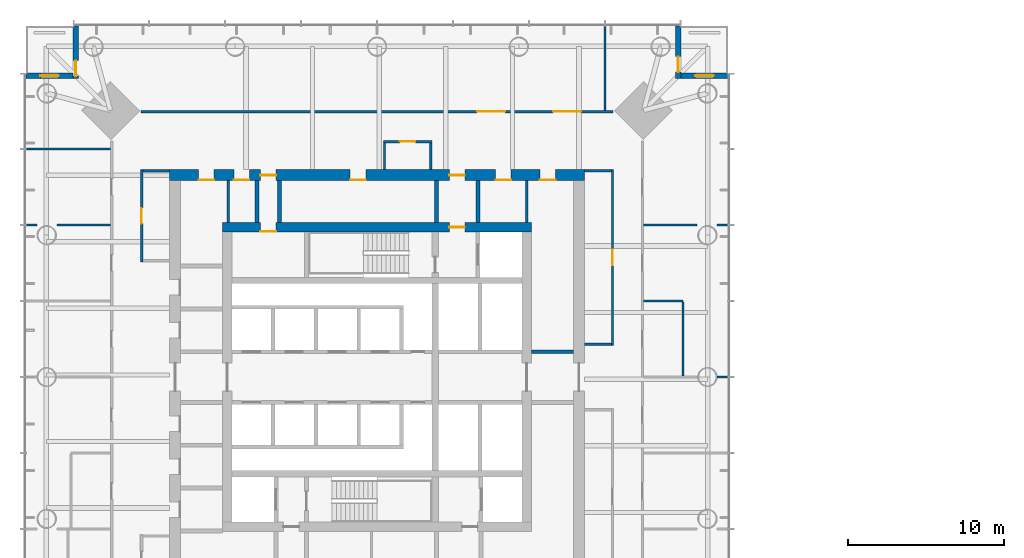
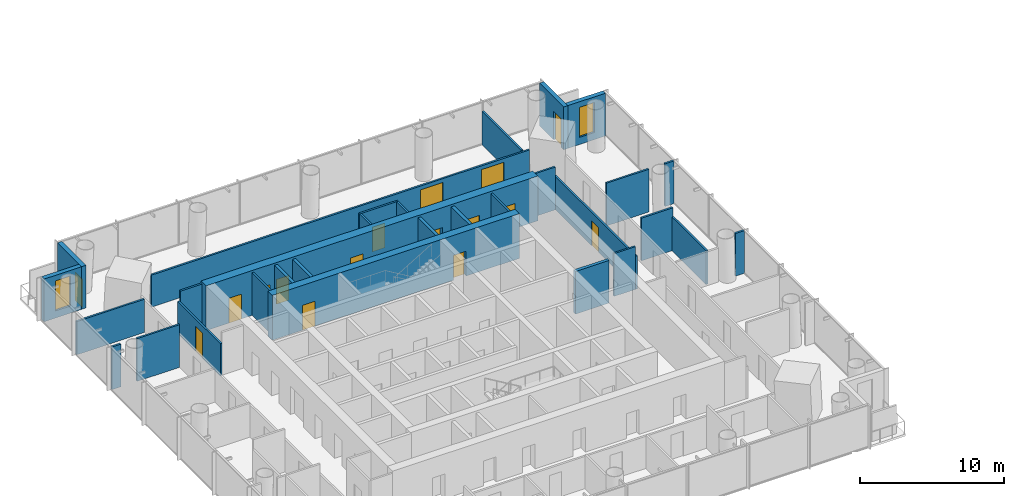
# One storey, part 12 of 20: 31 walls, 16 doors, 2 windows, 18 openings.
"""IFC4 building model written with IfcOpenShell, lengths in metres."""

from ifc_helpers import new_model, si_unit, direction, frame, frame_2d, origin, place, context, subcontext, project, spatial, rectangle, extrude, material, layer, layer_set, type_object, element, fill, save


model = new_model("IFC4")

# Units and contexts
model_context = context("Model", 3, precision=1e-05, world=origin(), true_north=direction((0.0, 1.0)))
body_context = subcontext(model_context, "Body", "Model", "MODEL_VIEW")
ifc_project = project(units=[si_unit("LENGTHUNIT", "METRE"), si_unit("AREAUNIT", "SQUARE_METRE"), si_unit("VOLUMEUNIT", "CUBIC_METRE"), si_unit("PLANEANGLEUNIT", "RADIAN"), si_unit("MASSUNIT", "GRAM", prefix="KILO")], contexts=[model_context])

# Site, building, storey
site_placement = place(None, origin())
site = spatial("IfcSite", under=ifc_project, at=site_placement, CompositionType="ELEMENT")
building_placement = place(site_placement, origin())
building = spatial("IfcBuilding", under=site, at=building_placement, Name="Ostroluk Exchange", CompositionType="ELEMENT")
storey_placement = place(building_placement, frame((0.0, 0.0, 108.39990234375)))
storey = spatial("IfcBuildingStorey", under=building, at=storey_placement, Name="L27", CompositionType="ELEMENT", Elevation=108.39990234375)

# Walls
ifc_material_1 = material(Name="Concrete blockwork", Category="masonry")
ifc_layer_1 = layer(ifc_material_1, 0.14990234375)
ifc_layer_set_1 = layer_set([ifc_layer_1], Name="Blockwork plant room wall 150")
wall_type_1 = type_object("IfcWallType", Name="Blockwork plant room wall 150", PredefinedType="SOLIDWALL", material=ifc_layer_set_1)
for number, where, z_axis, x_axis, name in (
    (1, (35.4560546875, 55.89990234375, 0.0), (0.0, 0.0, 1.0), (0.0, 1.0, 0.0), "Core room wall"),
    (2, (54.60009765625, 55.89990234375, 0.0), (0.0, 0.0, 1.0), (0.0, 1.0, 0.0), "Core room wall"),
):
    element("IfcWall", number, at=place(storey_placement, frame(where, z_axis=z_axis, x_axis=x_axis)), inside=storey, type_object=wall_type_1, Name=name, PredefinedType="SOLIDWALL", context=body_context, shape_type="SweptSolid", body=[
        extrude(rectangle(XDim=2.7001953125, YDim=0.14990234375, at=frame_2d((1.35009765625, 0.0))), origin(), (0.0, 0.0, 1.0), 3.6201171875),
    ])
ifc_material_2 = material(Name="Concrete blockwork", Category="masonry")
ifc_layer_2 = layer(ifc_material_2, 0.25)
ifc_layer_set_2 = layer_set([ifc_layer_2], Name="Blockwork stair enclosure wall 250")
wall_type_2 = type_object("IfcWallType", Name="Blockwork stair enclosure wall 250", PredefinedType="SOLIDWALL", material=ifc_layer_set_2)
for number, where, z_axis, x_axis, name in (
    (3, (48.804931640625, 55.89990234375, 0.0), (0.0, 0.0, 1.0), (0.0, 1.0, 0.0), "Fire lobby enclosure wall"),
    (4, (51.47509765625, 55.89990234375, 0.0), (0.0, 0.0, 1.0), (0.0, 1.0, 0.0), "Fire lobby enclosure wall"),
    (5, (54.89990234375, 47.625, 0.0), (0.0, 0.0, 1.0), (1.0, 0.0, 0.0), "Lift lobby enclosure wall"),
    (6, (37.300048828125, 55.89990234375, 0.0), (0.0, 0.0, 1.0), (0.0, 1.0, 0.0), "Core corridor wall"),
    (7, (38.75, 55.89990234375, 0.0), (0.0, 0.0, 1.0), (0.0, 1.0, 0.0), "Core corridor wall"),
):
    element("IfcWall", number, at=place(storey_placement, frame(where, z_axis=z_axis, x_axis=x_axis)), inside=storey, type_object=wall_type_2, Name=name, PredefinedType="SOLIDWALL", context=body_context, shape_type="SweptSolid", body=[
        extrude(rectangle(XDim=2.7001953125, YDim=0.25, at=frame_2d((1.35009765625, 0.0))), origin(), (0.0, 0.0, 1.0), 3.6201171875),
    ])

# Wall, openings, doors
ifc_material_3 = material(Name="Concrete C50/60", Category="concrete")
ifc_layer_3 = layer(ifc_material_3, 0.60009765625)
ifc_layer_set_3 = layer_set([ifc_layer_3], Name="Core wall 600 C50/60")
wall_type_3 = type_object("IfcWallType", Name="Core wall 600 C50/60", PredefinedType="SHEAR", material=ifc_layer_set_3)
wall_1_placement = place(storey_placement, frame((35.10009765625, 55.60009765625, 0.0), z_axis=(0.0, 0.0, 1.0), x_axis=(1.0, 0.0, 0.0)))
wall_1 = element("IfcWall", 8, at=wall_1_placement, inside=storey, type_object=wall_type_3, Name="T1 core wall N", PredefinedType="SHEAR", context=body_context, shape_type="SweptSolid", body=[
    extrude(rectangle(XDim=19.7998046875, YDim=0.60009765625, at=frame_2d((9.89990234375, 0.0))), origin(), (0.0, 0.0, 1.0), 3.800048828125),
])
opening_1_placement = place(wall_1_placement, frame((14.5400390625, 0.0, 0.0)))
opening_1 = element("IfcOpeningElement", 9, at=opening_1_placement, cuts=wall_1, Name="Opening FD60", PredefinedType="OPENING", context=body_context, shape_type="SweptSolid", body=[
    extrude(rectangle(XDim=1.0, YDim=2.10009765625, at=frame_2d((0.5, 1.050048828125))), frame((0.0, 0.31005859375, 0.0), z_axis=(0.0, -1.0, 0.0), x_axis=(1.0, 0.0, 0.0)), (0.0, 0.0, 1.0), 0.6201171875),
])
opening_2_placement = place(wall_1_placement, frame((2.425048828125, 0.0, 0.0)))
opening_2 = element("IfcOpeningElement", 10, at=opening_2_placement, cuts=wall_1, Name="Opening FD60", PredefinedType="OPENING", context=body_context, shape_type="SweptSolid", body=[
    extrude(rectangle(XDim=1.0, YDim=2.10009765625, at=frame_2d((0.5, 1.050048828125))), frame((0.0, 0.31005859375, 0.0), z_axis=(0.0, -1.0, 0.0), x_axis=(1.0, 0.0, 0.0)), (0.0, 0.0, 1.0), 0.6201171875),
])
ifc_material_4 = material(Name="Steel", Category="steel")
door_type_1 = type_object("IfcDoorType", Name="Fire door EI 60 1000 x 2100", OperationType="SINGLE_SWING_LEFT", PredefinedType="DOOR", material=ifc_material_4)
door_1_placement = place(opening_1_placement, origin())
door_1 = element("IfcDoor", 11, at=door_1_placement, inside=storey, type_object=door_type_1, Name="Firefighting lobby door", OperationType="SINGLE_SWING_RIGHT", OverallHeight=2.10009765625, OverallWidth=1.0, PredefinedType="DOOR", context=body_context, shape_type="SweptSolid", body=[
    extrude(rectangle(XDim=1.0, YDim=2.10009765625, at=frame_2d((0.5, 1.050048828125))), frame((0.0, 0.02490234375, 0.0), z_axis=(0.0, -1.0, 0.0), x_axis=(1.0, 0.0, 0.0)), (0.0, 0.0, 1.0), 0.050048828125),
])
fill(opening_1, door_1)
door_2_placement = place(opening_2_placement, origin())
door_2 = element("IfcDoor", 12, at=door_2_placement, inside=storey, type_object=door_type_1, Name="Tea point door", OperationType="SINGLE_SWING_LEFT", OverallHeight=2.10009765625, OverallWidth=1.0, PredefinedType="DOOR", context=body_context, shape_type="SweptSolid", body=[
    extrude(rectangle(XDim=1.0, YDim=2.10009765625, at=frame_2d((0.5, 1.050048828125))), frame((0.0, -0.23974609375, 0.0), z_axis=(0.0, -1.0, 0.0), x_axis=(1.0, 0.0, 0.0)), (0.0, 0.0, 1.0), 0.050048828125),
])
fill(opening_2, door_2)

ifc_material_5 = material(Name="Concrete C50/60", Category="concrete")
ifc_layer_4 = layer(ifc_material_5, 0.699951171875)
ifc_layer_set_4 = layer_set([ifc_layer_4], Name="Core wall 700 C50/60")
wall_type_4 = type_object("IfcWallType", Name="Core wall 700 C50/60", PredefinedType="SHEAR", material=ifc_layer_set_4)
wall_2_placement = place(storey_placement, frame((31.699951171875, 58.949951171875, 0.0), z_axis=(0.0, 0.0, 1.0), x_axis=(1.0, 0.0, 0.0)))
wall_2 = element("IfcWall", 13, at=wall_2_placement, inside=storey, type_object=wall_type_4, Name="T1 core wall RN", PredefinedType="SHEAR", context=body_context, shape_type="SweptSolid", body=[
    extrude(rectangle(XDim=26.60009765625, YDim=0.699951171875, at=frame_2d((13.300048828125, 0.0))), origin(), (0.0, 0.0, 1.0), 3.800048828125),
])
opening_3_placement = place(wall_2_placement, frame((17.93994140625, 0.0, 0.0)))
opening_3 = element("IfcOpeningElement", 14, at=opening_3_placement, cuts=wall_2, Name="Opening FD60", PredefinedType="OPENING", context=body_context, shape_type="SweptSolid", body=[
    extrude(rectangle(XDim=1.0, YDim=2.10009765625, at=frame_2d((0.5, 1.050048828125))), frame((0.0, 0.35986328125, 0.0), z_axis=(0.0, -1.0, 0.0), x_axis=(1.0, 0.0, 0.0)), (0.0, 0.0, 1.0), 0.719970703125),
])
opening_4_placement = place(wall_2_placement, frame((5.824951171875, 0.0, 0.0)))
opening_4 = element("IfcOpeningElement", 15, at=opening_4_placement, cuts=wall_2, Name="Opening FD60", PredefinedType="OPENING", context=body_context, shape_type="SweptSolid", body=[
    extrude(rectangle(XDim=1.0, YDim=2.10009765625, at=frame_2d((0.5, 1.050048828125))), frame((0.0, 0.35986328125, 0.0), z_axis=(0.0, -1.0, 0.0), x_axis=(1.0, 0.0, 0.0)), (0.0, 0.0, 1.0), 0.719970703125),
])
opening_5_placement = place(wall_2_placement, frame((1.85009765625, 0.0, 0.0)))
opening_5 = element("IfcOpeningElement", 16, at=opening_5_placement, cuts=wall_2, Name="Opening FD60", PredefinedType="OPENING", context=body_context, shape_type="SweptSolid", body=[
    extrude(rectangle(XDim=1.0, YDim=2.10009765625, at=frame_2d((0.5, 1.050048828125))), frame((0.0, 0.35986328125, 0.0), z_axis=(0.0, -1.0, 0.0), x_axis=(1.0, 0.0, 0.0)), (0.0, 0.0, 1.0), 0.719970703125),
])
opening_6_placement = place(wall_2_placement, frame((4.115478515625, 0.0, 0.0)))
opening_6 = element("IfcOpeningElement", 17, at=opening_6_placement, cuts=wall_2, Name="Opening FD60", PredefinedType="OPENING", context=body_context, shape_type="SweptSolid", body=[
    extrude(rectangle(XDim=1.0, YDim=2.10009765625, at=frame_2d((0.5, 1.050048828125))), frame((0.0, 0.35986328125, 0.0), z_axis=(0.0, -1.0, 0.0), x_axis=(1.0, 0.0, 0.0)), (0.0, 0.0, 1.0), 0.719970703125),
])
opening_7_placement = place(wall_2_placement, frame((11.577392578125, 0.0, 0.0)))
opening_7 = element("IfcOpeningElement", 18, at=opening_7_placement, cuts=wall_2, Name="Opening FD60", PredefinedType="OPENING", context=body_context, shape_type="SweptSolid", body=[
    extrude(rectangle(XDim=1.0, YDim=2.10009765625, at=frame_2d((0.5, 1.050048828125))), frame((0.0, 0.35986328125, 0.0), z_axis=(0.0, -1.0, 0.0), x_axis=(1.0, 0.0, 0.0)), (0.0, 0.0, 1.0), 0.719970703125),
])
opening_8_placement = place(wall_2_placement, frame((20.89990234375, 0.0, 0.0)))
opening_8 = element("IfcOpeningElement", 19, at=opening_8_placement, cuts=wall_2, Name="Opening FD60", PredefinedType="OPENING", context=body_context, shape_type="SweptSolid", body=[
    extrude(rectangle(XDim=1.0, YDim=2.10009765625, at=frame_2d((0.5, 1.050048828125))), frame((0.0, 0.35986328125, 0.0), z_axis=(0.0, -1.0, 0.0), x_axis=(1.0, 0.0, 0.0)), (0.0, 0.0, 1.0), 0.719970703125),
])
opening_9_placement = place(wall_2_placement, frame((23.75, 0.0, 0.0)))
opening_9 = element("IfcOpeningElement", 20, at=opening_9_placement, cuts=wall_2, Name="Opening FD60", PredefinedType="OPENING", context=body_context, shape_type="SweptSolid", body=[
    extrude(rectangle(XDim=1.0, YDim=2.10009765625, at=frame_2d((0.5, 1.050048828125))), frame((0.0, 0.35986328125, 0.0), z_axis=(0.0, -1.0, 0.0), x_axis=(1.0, 0.0, 0.0)), (0.0, 0.0, 1.0), 0.719970703125),
])
door_3_placement = place(opening_3_placement, origin())
door_3 = element("IfcDoor", 21, at=door_3_placement, inside=storey, type_object=door_type_1, Name="Firefighting lobby door", OperationType="SINGLE_SWING_RIGHT", OverallHeight=2.10009765625, OverallWidth=1.0, PredefinedType="DOOR", context=body_context, shape_type="SweptSolid", body=[
    extrude(rectangle(XDim=1.0, YDim=2.10009765625, at=frame_2d((0.5, 1.050048828125))), frame((0.0, 0.02490234375, 0.0), z_axis=(0.0, -1.0, 0.0), x_axis=(1.0, 0.0, 0.0)), (0.0, 0.0, 1.0), 0.050048828125),
])
fill(opening_3, door_3)
door_4_placement = place(opening_4_placement, origin())
door_4 = element("IfcDoor", 22, at=door_4_placement, inside=storey, type_object=door_type_1, Name="Core corridor door", OperationType="SINGLE_SWING_LEFT", OverallHeight=2.10009765625, OverallWidth=1.0, PredefinedType="DOOR", context=body_context, shape_type="SweptSolid", body=[
    extrude(rectangle(XDim=1.0, YDim=2.10009765625, at=frame_2d((0.5, 1.050048828125))), frame((0.0, 0.02490234375, 0.0), z_axis=(0.0, -1.0, 0.0), x_axis=(1.0, 0.0, 0.0)), (0.0, 0.0, 1.0), 0.050048828125),
])
fill(opening_4, door_4)
door_5_placement = place(opening_5_placement, origin())
door_5 = element("IfcDoor", 23, at=door_5_placement, inside=storey, type_object=door_type_1, Name="Tenant IT room door", OperationType="SINGLE_SWING_LEFT", OverallHeight=2.10009765625, OverallWidth=1.0, PredefinedType="DOOR", context=body_context, shape_type="SweptSolid", body=[
    extrude(rectangle(XDim=1.0, YDim=2.10009765625, at=frame_2d((0.5, 1.050048828125))), frame((0.0, -0.2900390625, 0.0), z_axis=(0.0, -1.0, 0.0), x_axis=(1.0, 0.0, 0.0)), (0.0, 0.0, 1.0), 0.050048828125),
])
fill(opening_5, door_5)
door_6_placement = place(opening_6_placement, origin())
door_6 = element("IfcDoor", 24, at=door_6_placement, inside=storey, type_object=door_type_1, Name="Store door", OperationType="SINGLE_SWING_LEFT", OverallHeight=2.10009765625, OverallWidth=1.0, PredefinedType="DOOR", context=body_context, shape_type="SweptSolid", body=[
    extrude(rectangle(XDim=1.0, YDim=2.10009765625, at=frame_2d((0.5, 1.050048828125))), frame((0.0, -0.2900390625, 0.0), z_axis=(0.0, -1.0, 0.0), x_axis=(1.0, 0.0, 0.0)), (0.0, 0.0, 1.0), 0.050048828125),
])
fill(opening_6, door_6)
door_7_placement = place(opening_7_placement, origin())
door_7 = element("IfcDoor", 25, at=door_7_placement, inside=storey, type_object=door_type_1, Name="Print and post room door", OperationType="SINGLE_SWING_LEFT", OverallHeight=2.10009765625, OverallWidth=1.0, PredefinedType="DOOR", context=body_context, shape_type="SweptSolid", body=[
    extrude(rectangle(XDim=1.0, YDim=2.10009765625, at=frame_2d((0.5, 1.050048828125))), frame((0.0, -0.2900390625, 0.0), z_axis=(0.0, -1.0, 0.0), x_axis=(1.0, 0.0, 0.0)), (0.0, 0.0, 1.0), 0.050048828125),
])
fill(opening_7, door_7)
door_8_placement = place(opening_8_placement, origin())
door_8 = element("IfcDoor", 26, at=door_8_placement, inside=storey, type_object=door_type_1, Name="First aid room door", OperationType="SINGLE_SWING_RIGHT", OverallHeight=2.10009765625, OverallWidth=1.0, PredefinedType="DOOR", context=body_context, shape_type="SweptSolid", body=[
    extrude(rectangle(XDim=1.0, YDim=2.10009765625, at=frame_2d((0.5, 1.050048828125))), frame((0.0, -0.2900390625, 0.0), z_axis=(0.0, -1.0, 0.0), x_axis=(1.0, 0.0, 0.0)), (0.0, 0.0, 1.0), 0.050048828125),
])
fill(opening_8, door_8)
door_9_placement = place(opening_9_placement, origin())
door_9 = element("IfcDoor", 27, at=door_9_placement, inside=storey, type_object=door_type_1, Name="Tea point door", OperationType="SINGLE_SWING_RIGHT", OverallHeight=2.10009765625, OverallWidth=1.0, PredefinedType="DOOR", context=body_context, shape_type="SweptSolid", body=[
    extrude(rectangle(XDim=1.0, YDim=2.10009765625, at=frame_2d((0.5, 1.050048828125))), frame((0.0, -0.2900390625, 0.0), z_axis=(0.0, -1.0, 0.0), x_axis=(1.0, 0.0, 0.0)), (0.0, 0.0, 1.0), 0.050048828125),
])
fill(opening_9, door_9)

# Wall, opening, door
ifc_material_6 = material(Name="Limestone", Category="masonry")
ifc_layer_5 = layer(ifc_material_6, 0.35009765625)
ifc_layer_set_5 = layer_set([ifc_layer_5], Name="Limestone facade wall 350")
wall_type_5 = type_object("IfcWallType", Name="Limestone facade wall 350", PredefinedType="SOLIDWALL", material=ifc_layer_set_5)
wall_3_placement = place(storey_placement, frame((64.324951171875, 68.5, 0.0), z_axis=(0.0, 0.0, 1.0), x_axis=(0.0, -1.0, 0.0)))
wall_3 = element("IfcWall", 28, at=wall_3_placement, inside=storey, type_object=wall_type_5, Name="Office tower NE corner wall L27 a", PredefinedType="SOLIDWALL", context=body_context, shape_type="SweptSolid", body=[
    extrude(rectangle(XDim=3.35009765625, YDim=0.35009765625, at=frame_2d((1.675048828125, 0.0))), origin(), (0.0, 0.0, 1.0), 3.6201171875),
])
opening_10_placement = place(wall_3_placement, frame((1.949951171875, 0.0, 0.0)))
opening_10 = element("IfcOpeningElement", 29, at=opening_10_placement, cuts=wall_3, Name="Opening D-B1", PredefinedType="OPENING", context=body_context, shape_type="SweptSolid", body=[
    extrude(rectangle(XDim=1.0, YDim=2.39990234375, at=frame_2d((0.5, 1.199951171875))), frame((0.0, 0.18505859375, 0.0), z_axis=(0.0, -1.0, 0.0), x_axis=(1.0, 0.0, 0.0)), (0.0, 0.0, 1.0), 0.3701171875),
])
ifc_material_7 = material(Name="Bronze framed glazed door", Category="aluminium")
door_type_2 = type_object("IfcDoorType", Name="Balcony door 1000 x 2400", OperationType="SINGLE_SWING_LEFT", PredefinedType="DOOR", material=ifc_material_7)
door_10_placement = place(opening_10_placement, origin())
door_10 = element("IfcDoor", 30, at=door_10_placement, inside=storey, type_object=door_type_2, Name="Office tower NE balcony door L27", OperationType="SINGLE_SWING_RIGHT", OverallHeight=2.39990234375, OverallWidth=1.0, PredefinedType="DOOR", context=body_context, shape_type="SweptSolid", body=[
    extrude(rectangle(XDim=1.0, YDim=2.39990234375, at=frame_2d((0.5, 1.199951171875))), frame((0.0, 0.02490234375, 0.0), z_axis=(0.0, -1.0, 0.0), x_axis=(1.0, 0.0, 0.0)), (0.0, 0.0, 1.0), 0.050048828125),
])
fill(opening_10, door_10)

# Wall, opening, window
wall_4_placement = place(storey_placement, frame((64.5, 65.324951171875, 0.0), z_axis=(0.0, 0.0, 1.0), x_axis=(1.0, 0.0, 0.0)))
wall_4 = element("IfcWall", 31, at=wall_4_placement, inside=storey, type_object=wall_type_5, Name="Office tower NE corner wall L27 b", PredefinedType="SOLIDWALL", context=body_context, shape_type="SweptSolid", body=[
    extrude(rectangle(XDim=3.0, YDim=0.35009765625, at=frame_2d((1.5, 0.0))), origin(), (0.0, 0.0, 1.0), 3.6201171875),
])
opening_11_placement = place(wall_4_placement, frame((0.89990234375, 0.0, 0.60009765625)))
opening_11 = element("IfcOpeningElement", 32, at=opening_11_placement, cuts=wall_4, Name="Opening WN-L1", PredefinedType="OPENING", context=body_context, shape_type="SweptSolid", body=[
    extrude(rectangle(XDim=1.199951171875, YDim=2.550048828125, at=frame_2d((0.60009765625, 1.27490234375))), frame((0.0, 0.18505859375, 0.0), z_axis=(0.0, -1.0, 0.0), x_axis=(1.0, 0.0, 0.0)), (0.0, 0.0, 1.0), 0.3701171875),
])
ifc_material_8 = material(Name="Laminated clear glass", Category="glass")
window_type = type_object("IfcWindowType", Name="Lancet window 1200 x 2550", PartitioningType="SINGLE_PANEL", PredefinedType="WINDOW", material=ifc_material_8)
window_1_placement = place(opening_11_placement, origin())
window_1 = element("IfcWindow", 33, at=window_1_placement, inside=storey, type_object=window_type, Name="Office tower NE lancet window L27", OverallHeight=2.550048828125, OverallWidth=1.199951171875, PartitioningType="SINGLE_PANEL", PredefinedType="WINDOW", context=body_context, shape_type="SweptSolid", body=[
    extrude(rectangle(XDim=1.199951171875, YDim=2.550048828125, at=frame_2d((0.60009765625, 1.27490234375))), frame((0.0, 0.030029296875, 0.0), z_axis=(0.0, -1.0, 0.0), x_axis=(1.0, 0.0, 0.0)), (0.0, 0.0, 1.0), 0.06005859375),
])
fill(opening_11, window_1)

# Wall, opening, door
wall_5_placement = place(storey_placement, frame((25.675048828125, 68.5, 0.0), z_axis=(0.0, 0.0, 1.0), x_axis=(0.0, -1.0, 0.0)))
wall_5 = element("IfcWall", 34, at=wall_5_placement, inside=storey, type_object=wall_type_5, Name="Office tower NW corner wall L27 a", PredefinedType="SOLIDWALL", context=body_context, shape_type="SweptSolid", body=[
    extrude(rectangle(XDim=3.35009765625, YDim=0.35009765625, at=frame_2d((1.675048828125, 0.0))), origin(), (0.0, 0.0, 1.0), 3.6201171875),
])
opening_12_placement = place(wall_5_placement, frame((2.199951171875, 0.0, 0.0)))
opening_12 = element("IfcOpeningElement", 35, at=opening_12_placement, cuts=wall_5, Name="Opening D-B1", PredefinedType="OPENING", context=body_context, shape_type="SweptSolid", body=[
    extrude(rectangle(XDim=1.0, YDim=2.39990234375, at=frame_2d((0.5, 1.199951171875))), frame((0.0, 0.18505859375, 0.0), z_axis=(0.0, -1.0, 0.0), x_axis=(1.0, 0.0, 0.0)), (0.0, 0.0, 1.0), 0.3701171875),
])
door_11_placement = place(opening_12_placement, origin())
door_11 = element("IfcDoor", 36, at=door_11_placement, inside=storey, type_object=door_type_2, Name="Office tower NW balcony door L27", OperationType="SINGLE_SWING_RIGHT", OverallHeight=2.39990234375, OverallWidth=1.0, PredefinedType="DOOR", context=body_context, shape_type="SweptSolid", body=[
    extrude(rectangle(XDim=1.0, YDim=2.39990234375, at=frame_2d((0.5, 1.199951171875))), frame((0.0, 0.02490234375, 0.0), z_axis=(0.0, -1.0, 0.0), x_axis=(1.0, 0.0, 0.0)), (0.0, 0.0, 1.0), 0.050048828125),
])
fill(opening_12, door_11)

# Wall, opening, window
wall_6_placement = place(storey_placement, frame((25.5, 65.324951171875, 0.0), z_axis=(0.0, 0.0, 1.0), x_axis=(-1.0, 0.0, 0.0)))
wall_6 = element("IfcWall", 37, at=wall_6_placement, inside=storey, type_object=wall_type_5, Name="Office tower NW corner wall L27 b", PredefinedType="SOLIDWALL", context=body_context, shape_type="SweptSolid", body=[
    extrude(rectangle(XDim=3.0, YDim=0.35009765625, at=frame_2d((1.5, 0.0))), origin(), (0.0, 0.0, 1.0), 3.6201171875),
])
opening_13_placement = place(wall_6_placement, frame((0.89990234375, 0.0, 0.60009765625)))
opening_13 = element("IfcOpeningElement", 38, at=opening_13_placement, cuts=wall_6, Name="Opening WN-L1", PredefinedType="OPENING", context=body_context, shape_type="SweptSolid", body=[
    extrude(rectangle(XDim=1.199951171875, YDim=2.550048828125, at=frame_2d((0.60009765625, 1.27490234375))), frame((0.0, 0.18505859375, 0.0), z_axis=(0.0, -1.0, 0.0), x_axis=(1.0, 0.0, 0.0)), (0.0, 0.0, 1.0), 0.3701171875),
])
window_2_placement = place(opening_13_placement, origin())
window_2 = element("IfcWindow", 39, at=window_2_placement, inside=storey, type_object=window_type, Name="Office tower NW lancet window L27", OverallHeight=2.550048828125, OverallWidth=1.199951171875, PartitioningType="SINGLE_PANEL", PredefinedType="WINDOW", context=body_context, shape_type="SweptSolid", body=[
    extrude(rectangle(XDim=1.199951171875, YDim=2.550048828125, at=frame_2d((0.60009765625, 1.27490234375))), frame((0.0, 0.030029296875, 0.0), z_axis=(0.0, -1.0, 0.0), x_axis=(1.0, 0.0, 0.0)), (0.0, 0.0, 1.0), 0.06005859375),
])
fill(opening_13, window_2)

# Wall, opening, door
ifc_material_9 = material(Name="Gypsum plasterboard partition", Category="gypsum")
ifc_layer_6 = layer(ifc_material_9, 0.14990234375)
ifc_layer_set_6 = layer_set([ifc_layer_6], Name="Plasterboard partition 150")
wall_type_6 = type_object("IfcWallType", Name="Plasterboard partition 150", PredefinedType="PARTITIONING", material=ifc_layer_set_6)
wall_7_placement = place(storey_placement, frame((60.10009765625, 48.02490234375, 0.0), z_axis=(0.0, 0.0, 1.0), x_axis=(0.0, 1.0, 0.0)))
wall_7 = element("IfcWall", 40, at=wall_7_placement, inside=storey, type_object=wall_type_6, Name="Partition", PredefinedType="PARTITIONING", context=body_context, shape_type="SweptSolid", body=[
    extrude(rectangle(XDim=11.275146484375, YDim=0.14990234375, at=frame_2d((5.6376953125, 0.0))), origin(), (0.0, 0.0, 1.0), 2.80615234375),
])
opening_14_placement = place(wall_7_placement, frame((5.137451171875, 0.0, 0.0)))
opening_14 = element("IfcOpeningElement", 41, at=opening_14_placement, cuts=wall_7, Name="Opening D-03", PredefinedType="OPENING", context=body_context, shape_type="SweptSolid", body=[
    extrude(rectangle(XDim=1.0, YDim=2.10009765625, at=frame_2d((0.5, 1.050048828125))), frame((0.0, 0.0849609375, 0.0), z_axis=(0.0, -1.0, 0.0), x_axis=(1.0, 0.0, 0.0)), (0.0, 0.0, 1.0), 0.169921875),
])
ifc_material_10 = material(Name="Timber", Category="wood")
door_type_3 = type_object("IfcDoorType", Name="Internal door 1000 x 2100", OperationType="SINGLE_SWING_LEFT", PredefinedType="DOOR", material=ifc_material_10)
door_12_placement = place(opening_14_placement, origin())
door_12 = element("IfcDoor", 42, at=door_12_placement, inside=storey, type_object=door_type_3, Name="Meeting room door", OperationType="SINGLE_SWING_RIGHT", OverallHeight=2.10009765625, OverallWidth=1.0, PredefinedType="DOOR", context=body_context, shape_type="SweptSolid", body=[
    extrude(rectangle(XDim=1.0, YDim=2.10009765625, at=frame_2d((0.5, 1.050048828125))), frame((0.0, 0.02490234375, 0.0), z_axis=(0.0, -1.0, 0.0), x_axis=(1.0, 0.0, 0.0)), (0.0, 0.0, 1.0), 0.050048828125),
])
fill(opening_14, door_12)

# Walls
for number, where, z_axis, x_axis, name in (
    (43, (58.300048828125, 48.10009765625, 0.0), (0.0, 0.0, 1.0), (1.0, 0.0, 0.0), "Partition"),
    (44, (58.300048828125, 59.22509765625, 0.0), (0.0, 0.0, 1.0), (1.0, 0.0, 0.0), "Partition"),
):
    element("IfcWall", number, at=place(storey_placement, frame(where, z_axis=z_axis, x_axis=x_axis)), inside=storey, type_object=wall_type_6, Name=name, PredefinedType="PARTITIONING", context=body_context, shape_type="SweptSolid", body=[
        extrude(rectangle(XDim=1.724853515625, YDim=0.14990234375, at=frame_2d((0.8623046875, 0.0))), origin(), (0.0, 0.0, 1.0), 3.6201171875),
    ])

# Wall, opening, door
wall_8_placement = place(storey_placement, frame((48.514892578125, 61.10009765625, 0.0), z_axis=(0.0, 0.0, 1.0), x_axis=(-1.0, 0.0, 0.0)))
wall_8 = element("IfcWall", 45, at=wall_8_placement, inside=storey, type_object=wall_type_6, Name="Partition", PredefinedType="PARTITIONING", context=body_context, shape_type="SweptSolid", body=[
    extrude(rectangle(XDim=3.1123046875, YDim=0.14990234375, at=frame_2d((1.55615234375, 0.0))), origin(), (0.0, 0.0, 1.0), 3.6201171875),
])
opening_15_placement = place(wall_8_placement, frame((1.05615234375, 0.0, 0.0)))
opening_15 = element("IfcOpeningElement", 46, at=opening_15_placement, cuts=wall_8, Name="Opening D-03", PredefinedType="OPENING", context=body_context, shape_type="SweptSolid", body=[
    extrude(rectangle(XDim=1.0, YDim=2.10009765625, at=frame_2d((0.5, 1.050048828125))), frame((0.0, 0.0849609375, 0.0), z_axis=(0.0, -1.0, 0.0), x_axis=(1.0, 0.0, 0.0)), (0.0, 0.0, 1.0), 0.169921875),
])
door_13_placement = place(opening_15_placement, origin())
door_13 = element("IfcDoor", 47, at=door_13_placement, inside=storey, type_object=door_type_3, Name="Interview room door", OperationType="SINGLE_SWING_RIGHT", OverallHeight=2.10009765625, OverallWidth=1.0, PredefinedType="DOOR", context=body_context, shape_type="SweptSolid", body=[
    extrude(rectangle(XDim=1.0, YDim=2.10009765625, at=frame_2d((0.5, 1.050048828125))), frame((0.0, 0.02490234375, 0.0), z_axis=(0.0, -1.0, 0.0), x_axis=(1.0, 0.0, 0.0)), (0.0, 0.0, 1.0), 0.050048828125),
])
fill(opening_15, door_13)

# Walls
for number, where, z_axis, x_axis, name in (
    (48, (48.43994140625, 59.300048828125, 0.0), (0.0, 0.0, 1.0), (0.0, 1.0, 0.0), "Partition"),
    (49, (45.4775390625, 59.300048828125, 0.0), (0.0, 0.0, 1.0), (0.0, 1.0, 0.0), "Partition"),
):
    element("IfcWall", number, at=place(storey_placement, frame(where, z_axis=z_axis, x_axis=x_axis)), inside=storey, type_object=wall_type_6, Name=name, PredefinedType="PARTITIONING", context=body_context, shape_type="SweptSolid", body=[
        extrude(rectangle(XDim=1.724853515625, YDim=0.14990234375, at=frame_2d((0.8623046875, 0.0))), origin(), (0.0, 0.0, 1.0), 3.6201171875),
    ])

# Wall, opening, door
wall_9_placement = place(storey_placement, frame((29.89990234375, 59.300048828125, 0.0), z_axis=(0.0, 0.0, 1.0), x_axis=(0.0, -1.0, 0.0)))
wall_9 = element("IfcWall", 50, at=wall_9_placement, inside=storey, type_object=wall_type_6, Name="Partition", PredefinedType="PARTITIONING", context=body_context, shape_type="SweptSolid", body=[
    extrude(rectangle(XDim=5.925048828125, YDim=0.14990234375, at=frame_2d((2.96240234375, 0.0))), origin(), (0.0, 0.0, 1.0), 2.72021484375),
])
opening_16_placement = place(wall_9_placement, frame((2.46240234375, 0.0, 0.0)))
opening_16 = element("IfcOpeningElement", 51, at=opening_16_placement, cuts=wall_9, Name="Opening D-03", PredefinedType="OPENING", context=body_context, shape_type="SweptSolid", body=[
    extrude(rectangle(XDim=1.0, YDim=2.10009765625, at=frame_2d((0.5, 1.050048828125))), frame((0.0, 0.0849609375, 0.0), z_axis=(0.0, -1.0, 0.0), x_axis=(1.0, 0.0, 0.0)), (0.0, 0.0, 1.0), 0.169921875),
])
door_14_placement = place(opening_16_placement, origin())
door_14 = element("IfcDoor", 52, at=door_14_placement, inside=storey, type_object=door_type_3, Name="Meeting room door", OperationType="SINGLE_SWING_RIGHT", OverallHeight=2.10009765625, OverallWidth=1.0, PredefinedType="DOOR", context=body_context, shape_type="SweptSolid", body=[
    extrude(rectangle(XDim=1.0, YDim=2.10009765625, at=frame_2d((0.5, 1.050048828125))), frame((0.0, 0.02490234375, 0.0), z_axis=(0.0, -1.0, 0.0), x_axis=(1.0, 0.0, 0.0)), (0.0, 0.0, 1.0), 0.050048828125),
])
fill(opening_16, door_14)

# Walls
wall_10_placement = place(storey_placement, frame((31.699951171875, 59.22509765625, 0.0), z_axis=(0.0, 0.0, 1.0), x_axis=(-1.0, 0.0, 0.0)))
element("IfcWall", 53, at=wall_10_placement, inside=storey, type_object=wall_type_6, Name="Partition", PredefinedType="PARTITIONING", context=body_context, shape_type="SweptSolid", body=[
    extrude(rectangle(XDim=1.724853515625, YDim=0.14990234375, at=frame_2d((0.8623046875, 0.0))), origin(), (0.0, 0.0, 1.0), 3.6201171875),
])
wall_11_placement = place(storey_placement, frame((64.625, 46.074951171875, 0.0), z_axis=(0.0, 0.0, 1.0), x_axis=(0.0, 1.0, 0.0)))
element("IfcWall", 54, at=wall_11_placement, inside=storey, type_object=wall_type_6, Name="Partition", PredefinedType="PARTITIONING", context=body_context, shape_type="SweptSolid", body=[
    extrude(rectangle(XDim=4.72509765625, YDim=0.14990234375, at=frame_2d((2.362548828125, 0.0))), origin(), (0.0, 0.0, 1.0), 2.858154296875),
])
wall_12_placement = place(storey_placement, frame((66.816650390625, 46.0, 0.0), z_axis=(0.0, 0.0, 1.0), x_axis=(1.0, 0.0, 0.0)))
element("IfcWall", 55, at=wall_12_placement, inside=storey, type_object=wall_type_6, Name="Partition", PredefinedType="PARTITIONING", context=body_context, shape_type="SweptSolid", body=[
    extrude(rectangle(XDim=0.723388671875, YDim=0.14990234375, at=frame_2d((0.36181640625, 0.0))), origin(), (0.0, 0.0, 1.0), 3.6201171875),
])
wall_13_placement = place(storey_placement, frame((62.10009765625, 50.875, 0.0), z_axis=(0.0, 0.0, 1.0), x_axis=(1.0, 0.0, 0.0)))
element("IfcWall", 56, at=wall_13_placement, inside=storey, type_object=wall_type_6, Name="Partition", PredefinedType="PARTITIONING", context=body_context, shape_type="SweptSolid", body=[
    extrude(rectangle(XDim=2.52490234375, YDim=0.14990234375, at=frame_2d((1.262451171875, 0.0))), origin(), (0.0, 0.0, 1.0), 3.6201171875),
])
wall_14_placement = place(storey_placement, frame((62.10009765625, 55.75, 0.0), z_axis=(0.0, 0.0, 1.0), x_axis=(1.0, 0.0, 0.0)))
element("IfcWall", 57, at=wall_14_placement, inside=storey, type_object=wall_type_6, Name="Partition", PredefinedType="PARTITIONING", context=body_context, shape_type="SweptSolid", body=[
    extrude(rectangle(XDim=3.42138671875, YDim=0.14990234375, at=frame_2d((1.710693359375, 0.0))), origin(), (0.0, 0.0, 1.0), 3.6201171875),
])
wall_15_placement = place(storey_placement, frame((66.816650390625, 55.75, 0.0), z_axis=(0.0, 0.0, 1.0), x_axis=(1.0, 0.0, 0.0)))
element("IfcWall", 58, at=wall_15_placement, inside=storey, type_object=wall_type_6, Name="Partition", PredefinedType="PARTITIONING", context=body_context, shape_type="SweptSolid", body=[
    extrude(rectangle(XDim=0.723388671875, YDim=0.14990234375, at=frame_2d((0.36181640625, 0.0))), origin(), (0.0, 0.0, 1.0), 3.6201171875),
])

# Wall, openings, doors
wall_16_placement = place(storey_placement, frame((60.147216796875, 63.02490234375, 0.0), z_axis=(0.0, 0.0, 1.0), x_axis=(-1.0, 0.0, 0.0)))
wall_16 = element("IfcWall", 59, at=wall_16_placement, inside=storey, type_object=wall_type_6, Name="Partition", PredefinedType="PARTITIONING", context=body_context, shape_type="SweptSolid", body=[
    extrude(rectangle(XDim=30.29443359375, YDim=0.14990234375, at=frame_2d((15.147216796875, 0.0))), origin(), (0.0, 0.0, 1.0), 2.72021484375),
])
opening_17_placement = place(wall_16_placement, frame((2.059814453125, 0.0, 0.0)))
opening_17 = element("IfcOpeningElement", 60, at=opening_17_placement, cuts=wall_16, Name="Opening D-04", PredefinedType="OPENING", context=body_context, shape_type="SweptSolid", body=[
    extrude(rectangle(XDim=1.800048828125, YDim=2.39990234375, at=frame_2d((0.89990234375, 1.199951171875))), frame((0.0, 0.0849609375, 0.0), z_axis=(0.0, -1.0, 0.0), x_axis=(1.0, 0.0, 0.0)), (0.0, 0.0, 1.0), 0.169921875),
])
opening_18_placement = place(wall_16_placement, frame((6.934814453125, 0.0, 0.0)))
opening_18 = element("IfcOpeningElement", 61, at=opening_18_placement, cuts=wall_16, Name="Opening D-04", PredefinedType="OPENING", context=body_context, shape_type="SweptSolid", body=[
    extrude(rectangle(XDim=1.800048828125, YDim=2.39990234375, at=frame_2d((0.89990234375, 1.199951171875))), frame((0.0, 0.0849609375, 0.0), z_axis=(0.0, -1.0, 0.0), x_axis=(1.0, 0.0, 0.0)), (0.0, 0.0, 1.0), 0.169921875),
])
ifc_material_11 = material(Name="Timber", Category="wood")
door_type_4 = type_object("IfcDoorType", Name="Double door 1800 x 2400", OperationType="DOUBLE_DOOR_SINGLE_SWING", PredefinedType="DOOR", material=ifc_material_11)
door_15_placement = place(opening_17_placement, origin())
door_15 = element("IfcDoor", 62, at=door_15_placement, inside=storey, type_object=door_type_4, Name="Open plan office door", OperationType="DOUBLE_DOOR_SINGLE_SWING", OverallHeight=2.39990234375, OverallWidth=1.800048828125, PredefinedType="DOOR", context=body_context, shape_type="SweptSolid", body=[
    extrude(rectangle(XDim=1.800048828125, YDim=2.39990234375, at=frame_2d((0.89990234375, 1.199951171875))), frame((0.0, 0.02490234375, 0.0), z_axis=(0.0, -1.0, 0.0), x_axis=(1.0, 0.0, 0.0)), (0.0, 0.0, 1.0), 0.050048828125),
])
fill(opening_17, door_15)
door_16_placement = place(opening_18_placement, origin())
door_16 = element("IfcDoor", 63, at=door_16_placement, inside=storey, type_object=door_type_4, Name="Open plan office door", OperationType="DOUBLE_DOOR_SINGLE_SWING", OverallHeight=2.39990234375, OverallWidth=1.800048828125, PredefinedType="DOOR", context=body_context, shape_type="SweptSolid", body=[
    extrude(rectangle(XDim=1.800048828125, YDim=2.39990234375, at=frame_2d((0.89990234375, 1.199951171875))), frame((0.0, 0.02490234375, 0.0), z_axis=(0.0, -1.0, 0.0), x_axis=(1.0, 0.0, 0.0)), (0.0, 0.0, 1.0), 0.050048828125),
])
fill(opening_18, door_16)

# Walls
for number, where, z_axis, x_axis, name in (
    (64, (59.625, 63.10009765625, 0.0), (0.0, 0.0, 1.0), (0.0, 1.0, 0.0), "Partition"),
    (65, (27.89990234375, 60.625, 0.0), (0.0, 0.0, 1.0), (-1.0, 0.0, 0.0), "Partition"),
):
    element("IfcWall", number, at=place(storey_placement, frame(where, z_axis=z_axis, x_axis=x_axis)), inside=storey, type_object=wall_type_6, Name=name, PredefinedType="PARTITIONING", context=body_context, shape_type="SweptSolid", body=[
        extrude(rectangle(XDim=5.43994140625, YDim=0.14990234375, at=frame_2d((2.719970703125, 0.0))), origin(), (0.0, 0.0, 1.0), 2.820068359375),
    ])
wall_17_placement = place(storey_placement, frame((27.89990234375, 55.75, 0.0), z_axis=(0.0, 0.0, 1.0), x_axis=(-1.0, 0.0, 0.0)))
element("IfcWall", 66, at=wall_17_placement, inside=storey, type_object=wall_type_6, Name="Partition", PredefinedType="PARTITIONING", context=body_context, shape_type="SweptSolid", body=[
    extrude(rectangle(XDim=3.42138671875, YDim=0.14990234375, at=frame_2d((1.710693359375, 0.0))), origin(), (0.0, 0.0, 1.0), 3.6201171875),
])
wall_18_placement = place(storey_placement, frame((23.183349609375, 55.75, 0.0), z_axis=(0.0, 0.0, 1.0), x_axis=(-1.0, 0.0, 0.0)))
element("IfcWall", 67, at=wall_18_placement, inside=storey, type_object=wall_type_6, Name="Partition", PredefinedType="PARTITIONING", context=body_context, shape_type="SweptSolid", body=[
    extrude(rectangle(XDim=0.723388671875, YDim=0.14990234375, at=frame_2d((0.36181640625, 0.0))), origin(), (0.0, 0.0, 1.0), 3.6201171875),
])

save(model, "model.ifc")
